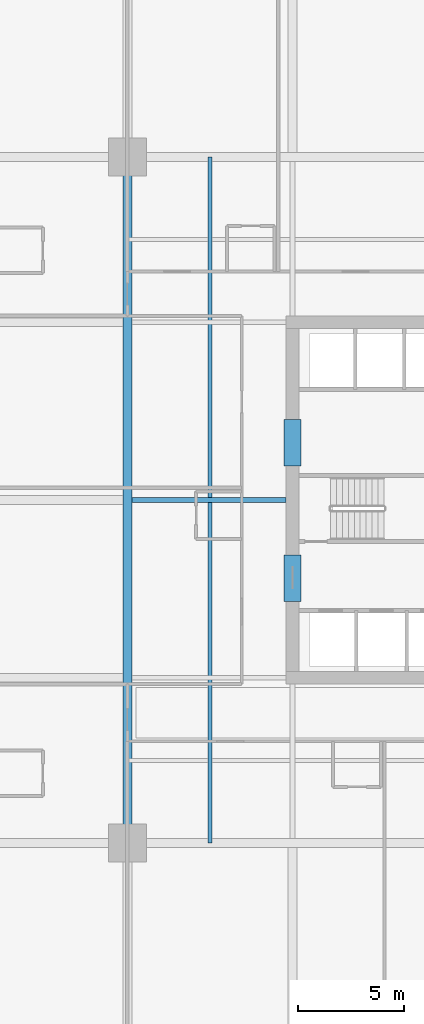
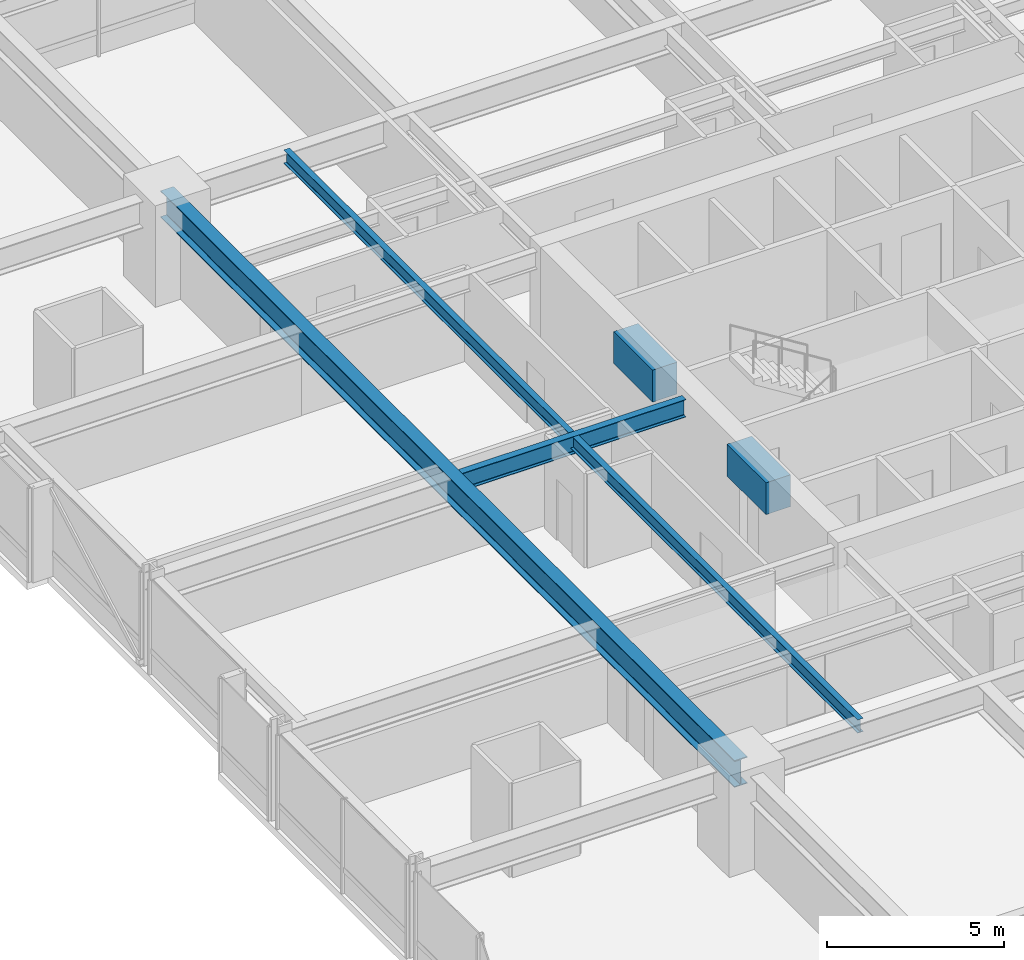
# One storey, part 10 of 37: 5 beams.
"""IFC4 building model written with IfcOpenShell, lengths in metres."""

import ifcopenshell
import ifcopenshell.guid

model = None  # the IFC model being written
_history = None  # IfcOwnerHistory: only IFC2X3 demands one
_inside = {}  # id of a spatial element -> (the spatial element, [elements in it])
_under = {}  # id of a project, library or spatial element -> (it, [spatial elements below it])
_declared = {}  # id of a project -> (the project, [libraries it declares])
_typed = {}  # id of a type object -> (the type object, [elements of that type])
_made_of = {}  # id of a material, layer set ... -> (it, [elements and type objects made of it])


def new_model(schema):
    """Start an empty IFC model of exactly this schema.

    Asked for "IFC4X3", IfcOpenShell would pick the latest addendum, in which some entities
    have other attributes; the version numbers below select the first issue.
    IFC2X3 requires an IfcOwnerHistory on every rooted entity: one is made here for all.
    """
    global model, _history
    if schema == "IFC4X3":
        model = ifcopenshell.file(schema_version=(4, 3, 0, 0))
    else:
        model = ifcopenshell.file(schema=schema)
    _inside.clear()
    _under.clear()
    _declared.clear()
    _typed.clear()
    _made_of.clear()
    _history = None
    if model.schema == "IFC2X3":
        org = make("IfcOrganization", Name="unknown")
        user = make(
            "IfcPersonAndOrganization",
            ThePerson=make("IfcPerson", FamilyName="unknown"),
            TheOrganization=org,
        )
        app = make(
            "IfcApplication",
            ApplicationDeveloper=org,
            Version="unknown",
            ApplicationFullName="unknown",
            ApplicationIdentifier="unknown",
        )
        _history = make(
            "IfcOwnerHistory",
            OwningUser=user,
            OwningApplication=app,
            ChangeAction="ADDED",
            CreationDate=0,
        )
    return model


def make(cls, **values):
    """One entity of the class cls with the attributes given. An attribute that is None is left unset."""
    return model.create_entity(
        cls, **{name: value for name, value in values.items() if value is not None}
    )


def rooted(cls, **values):
    """An entity with a GlobalId (a new one), such as an element, a storey or a relation."""
    return make(cls, GlobalId=ifcopenshell.guid.new(), OwnerHistory=_history, **values)


def si_unit(unit_type, name, prefix=None):
    """IfcSIUnit, for example si_unit("LENGTHUNIT", "METRE", prefix="MILLI")."""
    return make("IfcSIUnit", UnitType=unit_type, Prefix=prefix, Name=name)


def assignment(units):
    """IfcUnitAssignment: the units of a project."""
    return None if units is None else make("IfcUnitAssignment", Units=units)


def point(xyz):
    """IfcCartesianPoint."""
    return None if xyz is None else make("IfcCartesianPoint", Coordinates=xyz)


def direction(xyz):
    """IfcDirection."""
    return None if xyz is None else make("IfcDirection", DirectionRatios=xyz)


def frame(location, z_axis=None, x_axis=None):
    """IfcAxis2Placement3D, a coordinate frame: its origin and axes. An axis left out is left unset."""
    return make(
        "IfcAxis2Placement3D",
        Location=point(location),
        Axis=direction(z_axis),
        RefDirection=direction(x_axis),
    )


def frame_2d(location, x_axis=None):
    """IfcAxis2Placement2D, a coordinate frame in the plane: its origin and x axis."""
    return make(
        "IfcAxis2Placement2D", Location=point(location), RefDirection=direction(x_axis)
    )


def origin():
    """The frame at (0, 0, 0) with its axes left unset."""
    return frame((0.0, 0.0, 0.0))


def origin_2d():
    """The frame at (0, 0) in the plane with its x axis left unset."""
    return frame_2d((0.0, 0.0))


def place(relative_to, where):
    """IfcLocalPlacement: puts the frame where relative to a parent placement (None: the world)."""
    return make(
        "IfcLocalPlacement", PlacementRelTo=relative_to, RelativePlacement=where
    )


def context(
    kind, dimensions, precision=None, world=None, true_north=None, identifier=None
):
    """IfcGeometricRepresentationContext, for example the 3D "Model" context."""
    return make(
        "IfcGeometricRepresentationContext",
        ContextIdentifier=identifier,
        ContextType=kind,
        CoordinateSpaceDimension=dimensions,
        Precision=precision,
        WorldCoordinateSystem=world,
        TrueNorth=true_north,
    )


def subcontext(parent, identifier, kind, view, scale=None):
    """IfcGeometricRepresentationSubContext, for example "Body" below "Model"."""
    return make(
        "IfcGeometricRepresentationSubContext",
        ContextIdentifier=identifier,
        ContextType=kind,
        ParentContext=parent,
        TargetScale=scale,
        TargetView=view,
    )


def project(units=None, contexts=None):
    """IfcProject with its units and contexts."""
    return rooted(
        "IfcProject",
        Name="project",
        RepresentationContexts=contexts,
        UnitsInContext=assignment(units),
    )


def spatial(cls, under=None, at=None, **own):
    """A site, building, storey or space (cls), placed at a placement, below another one or the project."""
    s = rooted(cls, ObjectPlacement=at, **own)
    if under is not None:
        _under.setdefault(under.id(), (under, []))[1].append(s)
    return s


def profile(cls, at=None, kind="AREA", **sizes):
    """A parametric profile (cls). Its sizes go by their IFC names, for example OverallWidth=200.0."""
    return make(cls, ProfileType=kind, Position=at, **sizes)


def rectangle(**sizes):
    """IfcRectangleProfileDef."""
    return profile("IfcRectangleProfileDef", **sizes)


def i_section(**sizes):
    """IfcIShapeProfileDef."""
    return profile("IfcIShapeProfileDef", **sizes)


def extrude(swept, where, along, depth):
    """IfcExtrudedAreaSolid: the profile swept, set in the frame where, extruded along a direction by depth."""
    return make(
        "IfcExtrudedAreaSolid",
        SweptArea=swept,
        Position=where,
        ExtrudedDirection=direction(along),
        Depth=depth,
    )


def shape(context_of_items, identifier, shape_type, items):
    """IfcShapeRepresentation: the items that make up one representation, for example the "Body"."""
    return make(
        "IfcShapeRepresentation",
        ContextOfItems=context_of_items,
        RepresentationIdentifier=identifier,
        RepresentationType=shape_type,
        Items=items,
    )


def material(Name=None, Category=None):
    """IfcMaterial."""
    return make("IfcMaterial", Name=Name, Category=Category)


def material_profile(
    of_material, cross_section, Name=None, Category=None, Priority=None
):
    """IfcMaterialProfile: a cross section and its material."""
    return make(
        "IfcMaterialProfile",
        Name=Name,
        Material=of_material,
        Profile=cross_section,
        Priority=Priority,
        Category=Category,
    )


def profile_set(profiles, Name=None, composite=None):
    """IfcMaterialProfileSet."""
    return make(
        "IfcMaterialProfileSet",
        Name=Name,
        MaterialProfiles=profiles,
        CompositeProfile=composite,
    )


def made_of(thing, what):
    """Note that an element or type object is made of a material, layer set ...; save() writes the relation."""
    if what is not None:
        _made_of.setdefault(what.id(), (what, []))[1].append(thing)
    return thing


def type_object(cls, material=None, **own):
    """A type object (cls), such as IfcWallType, which elements share."""
    return made_of(rooted(cls, **own), material)


def element(
    cls,
    number,
    at=None,
    inside=None,
    cuts=None,
    type_object=None,
    material=None,
    context=None,
    identifier="Body",
    shape_type=None,
    held_by="IfcProductDefinitionShape",
    body=None,
    shapes=None,
    **own,
):
    """One element of the class cls, such as IfcWall. Its Tag is "e" and its number.

    at: its placement. inside: the storey or other place that contains it. cuts: it is an
    opening in that element (IfcRelVoidsElement). A single representation is given by context,
    identifier, shape_type and body (its items); several are given by shapes. held_by: the class
    of the entity that holds the representations. save() writes the other relations.
    """
    e = rooted(cls, Tag="e%d" % number, ObjectPlacement=at, **own)
    if body is not None:
        shapes = [shape(context, identifier, shape_type, body)]
    if shapes is not None:
        e.Representation = make(held_by, Representations=shapes)
    if inside is not None:
        _inside.setdefault(inside.id(), (inside, []))[1].append(e)
    if cuts is not None:
        rooted(
            "IfcRelVoidsElement", RelatingBuildingElement=cuts, RelatedOpeningElement=e
        )
    if type_object is not None:
        _typed.setdefault(type_object.id(), (type_object, []))[1].append(e)
    return made_of(e, material)


def aggregate(whole, parts):
    """IfcRelAggregates: a whole, such as a stair, and the parts it consists of."""
    return rooted("IfcRelAggregates", RelatingObject=whole, RelatedObjects=parts)


def save(model, path):
    """Write the relations noted so far, then the file.

    IfcRelAggregates (storeys below a building ...), IfcRelContainedInSpatialStructure (elements
    in a storey), IfcRelDefinesByType, IfcRelAssociatesMaterial and IfcRelDeclares: one each for
    every whole, place, type object, material and project.
    """
    for whole, parts in _under.values():
        aggregate(whole, parts)
    for where, things in _inside.values():
        rooted(
            "IfcRelContainedInSpatialStructure",
            RelatedElements=things,
            RelatingStructure=where,
        )
    for kind, things in _typed.values():
        rooted("IfcRelDefinesByType", RelatedObjects=things, RelatingType=kind)
    for what, things in _made_of.values():
        rooted("IfcRelAssociatesMaterial", RelatedObjects=things, RelatingMaterial=what)
    for by, libraries in _declared.values():
        rooted("IfcRelDeclares", RelatingContext=by, RelatedDefinitions=libraries)
    model.write(path)


model = new_model("IFC4")

# Units and contexts
model_context = context("Model", 3, precision=1e-05, world=origin(), true_north=direction((0.0, 1.0)))
body_context = subcontext(model_context, "Body", "Model", "MODEL_VIEW")
ifc_project = project(units=[si_unit("LENGTHUNIT", "METRE"), si_unit("AREAUNIT", "SQUARE_METRE"), si_unit("VOLUMEUNIT", "CUBIC_METRE"), si_unit("PLANEANGLEUNIT", "RADIAN"), si_unit("MASSUNIT", "GRAM", prefix="KILO")], contexts=[model_context])

# Site, building, storey
site_placement = place(None, origin())
site = spatial("IfcSite", under=ifc_project, at=site_placement, CompositionType="ELEMENT")
building_placement = place(site_placement, origin())
building = spatial("IfcBuilding", under=site, at=building_placement, Name="Drelvath Grand Hotel", CompositionType="ELEMENT")
storey_placement = place(building_placement, frame((0.0, 0.0, 43.699951171875)))
storey = spatial("IfcBuildingStorey", under=building, at=storey_placement, Name="L09", CompositionType="ELEMENT", Elevation=43.699951171875)

# Beams
ifc_material_1 = material(Name="Steel ASTM A992 Gr 50", Category="steel")
ifc_material_profile_1 = material_profile(ifc_material_1, i_section(OverallWidth=0.19140625, OverallDepth=0.4599609375, WebThickness=0.010009765625, FlangeThickness=0.01611328125, FilletRadius=0.01611328125, at=origin_2d()), Name="W18X55")
ifc_profile_set_1 = profile_set([ifc_material_profile_1], Name="Steel ASTM A992 Gr 50")
beam_type_1 = type_object("IfcBeamType", Name="Composite Floor Joist W18X55", PredefinedType="JOIST", material=ifc_profile_set_1)
beam_1_placement = place(storey_placement, frame((-12.300048828125, 10.800048828125, 3.010009765625), z_axis=(0.0, 1.0, 0.0), x_axis=(-1.0, 0.0, 0.0)))
element("IfcBeam", 1, at=beam_1_placement, inside=storey, type_object=beam_type_1, Name="L09 Wing Floor Joist J3", PredefinedType="JOIST", context=body_context, shape_type="SweptSolid", body=[
    extrude(i_section(OverallWidth=0.19140625, OverallDepth=0.4599609375, WebThickness=0.010009765625, FlangeThickness=0.01611328125, FilletRadius=0.01611328125, at=origin_2d()), origin(), (0.0, 0.0, 1.0), 32.39990234375),
])
ifc_material_2 = material(Name="Concrete f'c 70 MPa", Category="concrete")
ifc_material_profile_2 = material_profile(ifc_material_2, rectangle(XDim=0.800048828125, YDim=1.10009765625, at=origin_2d()), Name="CB800X1100")
ifc_profile_set_2 = profile_set([ifc_material_profile_2], Name="Concrete f'c 70 MPa")
beam_type_2 = type_object("IfcBeamType", Name="Core Coupling Lintel CB800X1100", PredefinedType="LINTEL", material=ifc_profile_set_2)
for number, where, z_axis, x_axis, name in (
    (2, (-8.39990234375, 22.199951171875, 2.68994140625), (0.0, 1.0, 0.0), (-1.0, 0.0, 0.0), "L09 Core Coupling Lintel WS"),
    (3, (-8.39990234375, 28.60009765625, 2.68994140625), (0.0, 1.0, 0.0), (-1.0, 0.0, 0.0), "L09 Core Coupling Lintel WN"),
):
    element("IfcBeam", number, at=place(storey_placement, frame(where, z_axis=z_axis, x_axis=x_axis)), inside=storey, type_object=beam_type_2, Name=name, PredefinedType="LINTEL", context=body_context, shape_type="SweptSolid", body=[
        extrude(rectangle(XDim=0.800048828125, YDim=1.10009765625, at=origin_2d()), origin(), (0.0, 0.0, 1.0), 2.199951171875),
    ])
ifc_material_profile_3 = material_profile(ifc_material_1, i_section(OverallWidth=0.228271484375, OverallDepth=0.607666015625, WebThickness=0.01123046875, FlangeThickness=0.017333984375, FilletRadius=0.02001953125, at=origin_2d()), Name="W24X76")
ifc_profile_set_3 = profile_set([ifc_material_profile_3], Name="Steel ASTM A992 Gr 50")
beam_type_3 = type_object("IfcBeamType", Name="Primary Floor Girder W24X76", PredefinedType="BEAM", material=ifc_profile_set_3)
beam_2_placement = place(storey_placement, frame((-15.99072265625, 27.0, 2.936279296875), z_axis=(1.0, 0.0, 0.0), x_axis=(0.0, 1.0, 0.0)))
element("IfcBeam", 4, at=beam_2_placement, inside=storey, type_object=beam_type_3, Name="L09 West Core Tie E", PredefinedType="BEAM", context=body_context, shape_type="SweptSolid", body=[
    extrude(i_section(OverallWidth=0.228271484375, OverallDepth=0.607666015625, WebThickness=0.01123046875, FlangeThickness=0.017333984375, FilletRadius=0.02001953125, at=origin_2d()), origin(), (0.0, 0.0, 1.0), 7.290771484375),
])
ifc_material_profile_4 = material_profile(ifc_material_1, i_section(OverallWidth=0.418212890625, OverallDepth=0.926513671875, WebThickness=0.019287109375, FlangeThickness=0.031982421875, FilletRadius=0.028076171875, at=origin_2d()), Name="W36X231")
ifc_profile_set_4 = profile_set([ifc_material_profile_4], Name="Steel ASTM A992 Gr 50")
beam_type_4 = type_object("IfcBeamType", Name="Primary Floor Girder W36X231", PredefinedType="BEAM", material=ifc_profile_set_4)
beam_3_placement = place(storey_placement, frame((-16.199951171875, 10.800048828125, 2.77685546875), z_axis=(0.0, 1.0, 0.0), x_axis=(-1.0, 0.0, 0.0)))
element("IfcBeam", 5, at=beam_3_placement, inside=storey, type_object=beam_type_4, Name="L09 Mega Ring Girder West", PredefinedType="BEAM", context=body_context, shape_type="SweptSolid", body=[
    extrude(i_section(OverallWidth=0.418212890625, OverallDepth=0.926513671875, WebThickness=0.019287109375, FlangeThickness=0.031982421875, FilletRadius=0.028076171875, at=origin_2d()), origin(), (0.0, 0.0, 1.0), 32.39990234375),
])

save(model, "model.ifc")
